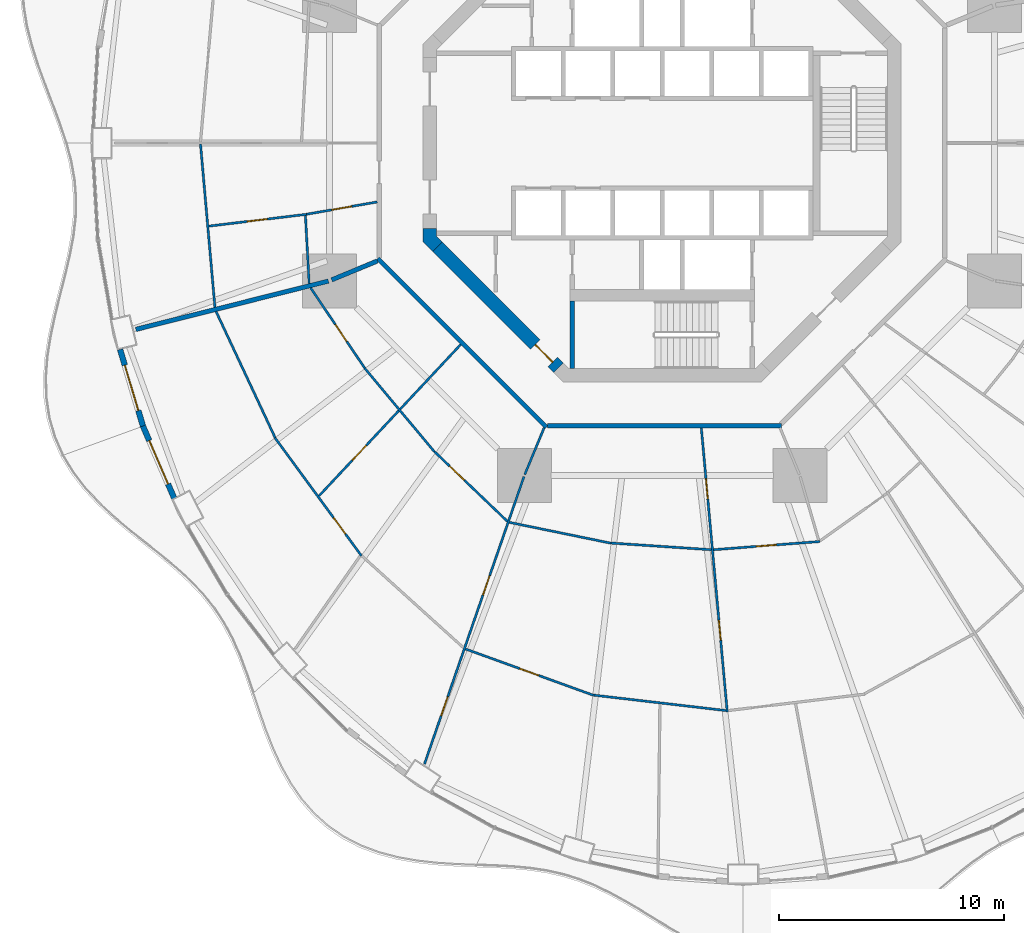
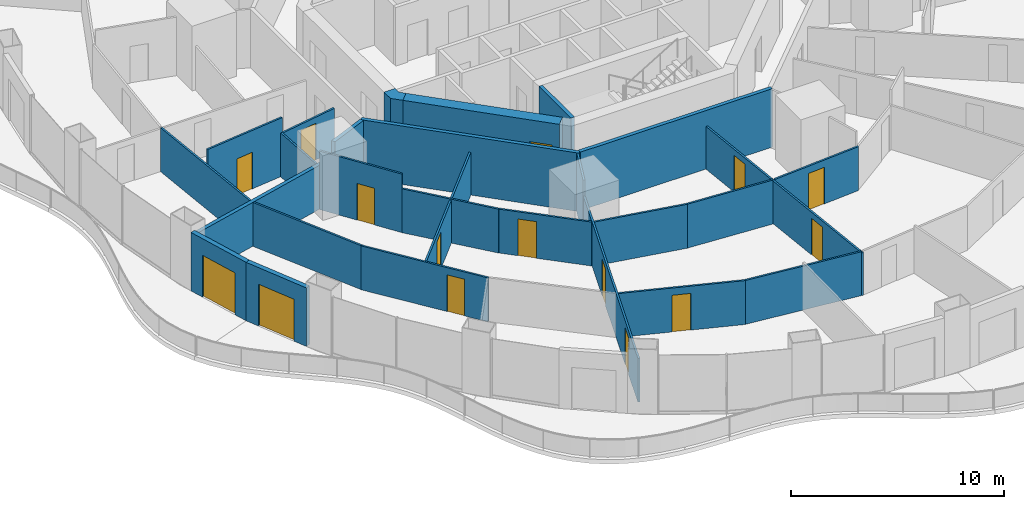
# One storey, part 14 of 22: 27 walls, 15 doors, 15 openings.
"""IFC4 building model written with IfcOpenShell, lengths in metres."""

from ifc_helpers import new_model, si_unit, direction, frame, frame_2d, origin, place, context, subcontext, project, spatial, polyline, rectangle, outline, extrude, material, layer, layer_set, type_object, element, fill, save


model = new_model("IFC4")

# Units and contexts
model_context = context("Model", 3, precision=1e-05, world=origin(), true_north=direction((0.0, 1.0)))
body_context = subcontext(model_context, "Body", "Model", "MODEL_VIEW")
ifc_project = project(units=[si_unit("LENGTHUNIT", "METRE"), si_unit("AREAUNIT", "SQUARE_METRE"), si_unit("VOLUMEUNIT", "CUBIC_METRE"), si_unit("PLANEANGLEUNIT", "RADIAN"), si_unit("MASSUNIT", "GRAM", prefix="KILO")], contexts=[model_context])

# Site, building, storey
site_placement = place(None, origin())
site = spatial("IfcSite", under=ifc_project, at=site_placement, CompositionType="ELEMENT")
building_placement = place(site_placement, origin())
building = spatial("IfcBuilding", under=site, at=building_placement, Name="Nagisa Residences", CompositionType="ELEMENT")
storey_placement = place(building_placement, frame((0.0, 0.0, 64.0)))
storey = spatial("IfcBuildingStorey", under=building, at=storey_placement, Name="L15", CompositionType="ELEMENT", Elevation=64.0)

# Walls
ifc_material_1 = material(Name="Gypsum board on steel studs", Category="steel")
ifc_layer_1 = layer(ifc_material_1, 0.199951171875)
ifc_layer_set_1 = layer_set([ifc_layer_1], Name="Apartment compartment wall EI60 200")
wall_type_1 = type_object("IfcWallType", Name="Apartment compartment wall EI60 200", PredefinedType="PARTITIONING", material=ifc_layer_set_1)
wall_1_placement = place(storey_placement, frame((-12.6572265625, -5.24267578125, 0.0), z_axis=(0.0, 0.0, 1.0), x_axis=(-0.923885664896, -0.382668627144, 0.0)))
element("IfcWall", 1, at=wall_1_placement, inside=storey, type_object=wall_type_1, Name="wall:L15:u04", PredefinedType="PARTITIONING", context=body_context, shape_type="SweptSolid", body=[
    extrude(rectangle(XDim=2.200439453125, YDim=0.199951171875, at=frame_2d((1.10009765625, 0.0))), origin(), (0.0, 0.0, 1.0), 3.35009765625),
])
wall_2_placement = place(storey_placement, frame((-14.83056640625, -6.135009765625, 0.0), z_axis=(0.0, 0.0, 1.0), x_axis=(-0.969884949569, -0.243563512454, 0.0)))
element("IfcWall", 2, at=wall_2_placement, inside=storey, type_object=wall_type_1, Name="wall:L15:u05", PredefinedType="PARTITIONING", context=body_context, shape_type="SweptSolid", body=[
    extrude(rectangle(XDim=8.828857421875, YDim=0.199951171875, at=frame_2d((4.41455078125, 0.0))), origin(), (0.0, 0.0, 1.0), 2.514892578125),
])
ifc_material_2 = material(Name="Gypsum board on steel studs", Category="steel")
ifc_layer_2 = layer(ifc_material_2, 0.199951171875)
ifc_layer_set_2 = layer_set([ifc_layer_2], Name="Apartment entry wall EI60 200")
wall_type_2 = type_object("IfcWallType", Name="Apartment entry wall EI60 200", PredefinedType="PARTITIONING", material=ifc_layer_set_2)
wall_3_placement = place(storey_placement, frame((-12.635498046875, -5.1337890625, 0.0), z_axis=(0.0, 0.0, 1.0), x_axis=(0.707106781187, -0.707106781187, 0.0)))
element("IfcWall", 3, at=wall_3_placement, inside=storey, type_object=wall_type_2, Name="wall:L15:u11", PredefinedType="PARTITIONING", context=body_context, shape_type="SweptSolid", body=[
    extrude(rectangle(XDim=10.609130859375, YDim=0.199951171875, at=frame_2d((5.3046875, 0.0))), origin(), (0.0, 0.0, 1.0), 3.35009765625),
])
wall_4_placement = place(storey_placement, frame((-5.1044921875, -12.564697265625, 0.0), z_axis=(0.0, 0.0, 1.0), x_axis=(1.0, 0.0, 0.0)))
element("IfcWall", 4, at=wall_4_placement, inside=storey, type_object=wall_type_2, Name="wall:L15:u12", PredefinedType="PARTITIONING", context=body_context, shape_type="SweptSolid", body=[
    extrude(rectangle(XDim=10.408935546875, YDim=0.199951171875, at=frame_2d((5.20458984375, 0.0))), origin(), (0.0, 0.0, 1.0), 3.35009765625),
])
ifc_material_3 = material(Name="Gypsum board on steel studs", Category="steel")
ifc_layer_3 = layer(ifc_material_3, 0.10009765625)
ifc_layer_set_3 = layer_set([ifc_layer_3], Name="Apartment partition 100")
wall_type_3 = type_object("IfcWallType", Name="Apartment partition 100", PredefinedType="PARTITIONING", material=ifc_layer_set_3)
wall_5_placement = place(storey_placement, frame((-20.518310546875, -0.0498046875, 0.0), z_axis=(0.0, 0.0, 1.0), x_axis=(0.088143415068, -0.996107794558, 0.0)))
element("IfcWall", 5, at=wall_5_placement, inside=storey, type_object=wall_type_3, Name="wall:L15:u55", PredefinedType="PARTITIONING", context=body_context, shape_type="SweptSolid", body=[
    extrude(rectangle(XDim=7.279052734375, YDim=0.10009765625, at=frame_2d((3.6396484375, 0.0))), origin(), (0.0, 0.0, 1.0), 2.514892578125),
])

# Wall, opening, door
wall_6_placement = place(storey_placement, frame((-12.663330078125, -2.619384765625, 0.0), z_axis=(0.0, 0.0, 1.0), x_axis=(-0.985220176102, -0.171292745325, 0.0)))
wall_6 = element("IfcWall", 6, at=wall_6_placement, inside=storey, type_object=wall_type_3, Name="wall:L15:u56", PredefinedType="PARTITIONING", context=body_context, shape_type="SweptSolid", body=[
    extrude(rectangle(XDim=3.191162109375, YDim=0.10009765625, at=frame_2d((1.595703125, 0.0))), origin(), (0.0, 0.0, 1.0), 2.447021484375),
])
opening_1_placement = place(wall_6_placement, frame((1.1455078125, 0.0, 0.0)))
opening_1 = element("IfcOpeningElement", 7, at=opening_1_placement, cuts=wall_6, Name="Opening L15-U44", PredefinedType="OPENING", context=body_context, shape_type="SweptSolid", body=[
    extrude(rectangle(XDim=0.89990234375, YDim=2.10009765625, at=frame_2d((0.449951171875, 1.050048828125))), frame((0.0, 0.06005859375, 0.0), z_axis=(0.0, -1.0, 0.0), x_axis=(1.0, 0.0, 0.0)), (0.0, 0.0, 1.0), 0.1201171875),
])
ifc_material_4 = material(Name="Timber door set", Category="wood")
door_type_1 = type_object("IfcDoorType", Name="Apartment door 900x2100", OperationType="NOTDEFINED", PredefinedType="DOOR", material=ifc_material_4)
door_1_placement = place(opening_1_placement, origin())
door_1 = element("IfcDoor", 8, at=door_1_placement, inside=storey, type_object=door_type_1, Name="Door to family bathroom, Apartment 15C", OperationType="SINGLE_SWING_RIGHT", OverallHeight=2.10009765625, OverallWidth=0.89990234375, PredefinedType="DOOR", context=body_context, shape_type="SweptSolid", body=[
    extrude(rectangle(XDim=0.89990234375, YDim=2.10009765625, at=frame_2d((0.449951171875, 1.050048828125))), frame((0.0, 0.02490234375, 0.0), z_axis=(0.0, -1.0, 0.0), x_axis=(1.0, 0.0, 0.0)), (0.0, 0.0, 1.0), 0.050048828125),
])
fill(opening_1, door_1)

wall_7_placement = place(storey_placement, frame((-15.806884765625, -3.16845703125, 0.0), z_axis=(0.0, 0.0, 1.0), x_axis=(-0.992741666002, -0.120266306938, 0.0)))
wall_7 = element("IfcWall", 9, at=wall_7_placement, inside=storey, type_object=wall_type_3, Name="wall:L15:u57", PredefinedType="PARTITIONING", context=body_context, shape_type="SweptSolid", body=[
    extrude(rectangle(XDim=4.37060546875, YDim=0.10009765625, at=frame_2d((2.185302734375, 0.0))), origin(), (0.0, 0.0, 1.0), 3.35009765625),
])
opening_2_placement = place(wall_7_placement, frame((1.76025390625, 0.0, 0.0)))
opening_2 = element("IfcOpeningElement", 10, at=opening_2_placement, cuts=wall_7, Name="Opening L15-U46", PredefinedType="OPENING", context=body_context, shape_type="SweptSolid", body=[
    extrude(rectangle(XDim=0.89990234375, YDim=2.10009765625, at=frame_2d((0.449951171875, 1.050048828125))), frame((0.0, 0.06005859375, 0.0), z_axis=(0.0, -1.0, 0.0), x_axis=(1.0, 0.0, 0.0)), (0.0, 0.0, 1.0), 0.1201171875),
])
door_2_placement = place(opening_2_placement, origin())
door_2 = element("IfcDoor", 11, at=door_2_placement, inside=storey, type_object=door_type_1, Name="Door to family bathroom, Apartment 15C", OperationType="SINGLE_SWING_RIGHT", OverallHeight=2.10009765625, OverallWidth=0.89990234375, PredefinedType="DOOR", context=body_context, shape_type="SweptSolid", body=[
    extrude(rectangle(XDim=0.89990234375, YDim=2.10009765625, at=frame_2d((0.449951171875, 1.050048828125))), frame((0.0, 0.02490234375, 0.0), z_axis=(0.0, -1.0, 0.0), x_axis=(1.0, 0.0, 0.0)), (0.0, 0.0, 1.0), 0.050048828125),
])
fill(opening_2, door_2)

# Wall
wall_8_placement = place(storey_placement, frame((-15.853759765625, -3.224609375, 0.0), z_axis=(0.0, 0.0, 1.0), x_axis=(0.054644199943, -0.998505889523, 0.0)))
element("IfcWall", 12, at=wall_8_placement, inside=storey, type_object=wall_type_3, Name="wall:L15:u58", PredefinedType="PARTITIONING", context=body_context, shape_type="SweptSolid", body=[
    extrude(rectangle(XDim=3.029296875, YDim=0.10009765625, at=frame_2d((1.5146484375, 0.0))), origin(), (0.0, 0.0, 1.0), 2.514892578125),
])

# Wall, opening, door
wall_9_placement = place(storey_placement, frame((-15.626953125, -6.43212890625, 0.0), z_axis=(0.0, 0.0, 1.0), x_axis=(0.559112679527, -0.829091678641, 0.0)))
wall_9 = element("IfcWall", 13, at=wall_9_placement, inside=storey, type_object=wall_type_3, Name="wall:L15:u59", PredefinedType="PARTITIONING", context=body_context, shape_type="SweptSolid", body=[
    extrude(rectangle(XDim=4.30810546875, YDim=0.10009765625, at=frame_2d((2.154052734375, 0.0))), origin(), (0.0, 0.0, 1.0), 3.35009765625),
])
opening_3_placement = place(wall_9_placement, frame((1.974853515625, 0.0, 0.0)))
opening_3 = element("IfcOpeningElement", 14, at=opening_3_placement, cuts=wall_9, Name="Opening L15-U26", PredefinedType="OPENING", context=body_context, shape_type="SweptSolid", body=[
    extrude(rectangle(XDim=0.89990234375, YDim=2.10009765625, at=frame_2d((0.449951171875, 1.050048828125))), frame((0.0, 0.06005859375, 0.0), z_axis=(0.0, -1.0, 0.0), x_axis=(1.0, 0.0, 0.0)), (0.0, 0.0, 1.0), 0.1201171875),
])
door_3_placement = place(opening_3_placement, origin())
door_3 = element("IfcDoor", 15, at=door_3_placement, inside=storey, type_object=door_type_1, Name="Door to laundry, Apartment 15A", OperationType="SINGLE_SWING_RIGHT", OverallHeight=2.10009765625, OverallWidth=0.89990234375, PredefinedType="DOOR", context=body_context, shape_type="SweptSolid", body=[
    extrude(rectangle(XDim=0.89990234375, YDim=2.10009765625, at=frame_2d((0.449951171875, 1.050048828125))), frame((0.0, 0.02490234375, 0.0), z_axis=(0.0, -1.0, 0.0), x_axis=(1.0, 0.0, 0.0)), (0.0, 0.0, 1.0), 0.050048828125),
])
fill(opening_3, door_3)

# Walls
wall_10_placement = place(storey_placement, frame((-19.82568359375, -7.49072265625, 0.0), z_axis=(0.0, 0.0, 1.0), x_axis=(0.423926333401, -0.905696673202, 0.0)))
element("IfcWall", 16, at=wall_10_placement, inside=storey, type_object=wall_type_3, Name="wall:L15:u60", PredefinedType="PARTITIONING", context=body_context, shape_type="SweptSolid", body=[
    extrude(rectangle(XDim=6.1875, YDim=0.10009765625, at=frame_2d((3.09375, 0.0))), origin(), (0.0, 0.0, 1.0), 2.514892578125),
])
wall_11_placement = place(storey_placement, frame((-13.222412109375, -10.0068359375, 0.0), z_axis=(0.0, 0.0, 1.0), x_axis=(0.64083455704, -0.767679015282, 0.0)))
element("IfcWall", 17, at=wall_11_placement, inside=storey, type_object=wall_type_3, Name="wall:L15:u61", PredefinedType="PARTITIONING", context=body_context, shape_type="SweptSolid", body=[
    extrude(rectangle(XDim=4.8369140625, YDim=0.10009765625, at=frame_2d((2.41845703125, 0.0))), origin(), (0.0, 0.0, 1.0), 2.514892578125),
])

# Wall, opening, door
wall_12_placement = place(storey_placement, frame((-17.2109375, -13.099609375, 0.0), z_axis=(0.0, 0.0, 1.0), x_axis=(0.591191311491, -0.806531359104, 0.0)))
wall_12 = element("IfcWall", 18, at=wall_12_placement, inside=storey, type_object=wall_type_3, Name="wall:L15:u62", PredefinedType="PARTITIONING", context=body_context, shape_type="SweptSolid", body=[
    extrude(rectangle(XDim=6.510009765625, YDim=0.10009765625, at=frame_2d((3.2548828125, 0.0))), origin(), (0.0, 0.0, 1.0), 2.514892578125),
])
opening_4_placement = place(wall_12_placement, frame((4.407470703125, 0.0, 0.0)))
opening_4 = element("IfcOpeningElement", 19, at=opening_4_placement, cuts=wall_12, Name="Opening L15-U22", PredefinedType="OPENING", context=body_context, shape_type="SweptSolid", body=[
    extrude(rectangle(XDim=0.89990234375, YDim=2.10009765625, at=frame_2d((0.449951171875, 1.050048828125))), frame((0.0, 0.06005859375, 0.0), z_axis=(0.0, -1.0, 0.0), x_axis=(1.0, 0.0, 0.0)), (0.0, 0.0, 1.0), 0.1201171875),
])
door_4_placement = place(opening_4_placement, frame((0.89990234375, 0.0, 0.0), x_axis=(-1.0, 0.0, 0.0)))
door_4 = element("IfcDoor", 20, at=door_4_placement, inside=storey, type_object=door_type_1, Name="Door to family room, Apartment 15A", OperationType="SINGLE_SWING_LEFT", OverallHeight=2.10009765625, OverallWidth=0.89990234375, PredefinedType="DOOR", context=body_context, shape_type="SweptSolid", body=[
    extrude(rectangle(XDim=0.89990234375, YDim=2.10009765625, at=frame_2d((0.449951171875, 1.050048828125))), frame((0.0, 0.02490234375, 0.0), z_axis=(0.0, -1.0, 0.0), x_axis=(1.0, 0.0, 0.0)), (0.0, 0.0, 1.0), 0.050048828125),
])
fill(opening_4, door_4)

wall_13_placement = place(storey_placement, frame((-8.952880859375, -8.95751953125, 0.0), z_axis=(0.0, 0.0, 1.0), x_axis=(-0.683322485948, -0.730116689439, 0.0)))
wall_13 = element("IfcWall", 21, at=wall_13_placement, inside=storey, type_object=wall_type_3, Name="wall:L15:u63", PredefinedType="PARTITIONING", context=body_context, shape_type="SweptSolid", body=[
    extrude(rectangle(XDim=9.218994140625, YDim=0.10009765625, at=frame_2d((4.609375, 0.0))), origin(), (0.0, 0.0, 1.0), 2.447021484375),
])
opening_5_placement = place(wall_13_placement, frame((6.1494140625, 0.0, 0.0)))
opening_5 = element("IfcOpeningElement", 22, at=opening_5_placement, cuts=wall_13, Name="Opening L15-U25", PredefinedType="OPENING", context=body_context, shape_type="SweptSolid", body=[
    extrude(rectangle(XDim=0.89990234375, YDim=2.10009765625, at=frame_2d((0.449951171875, 1.050048828125))), frame((0.0, 0.06005859375, 0.0), z_axis=(0.0, -1.0, 0.0), x_axis=(1.0, 0.0, 0.0)), (0.0, 0.0, 1.0), 0.1201171875),
])
door_5_placement = place(opening_5_placement, frame((0.89990234375, 0.0, 0.0), x_axis=(-1.0, 0.0, 0.0)))
door_5 = element("IfcDoor", 23, at=door_5_placement, inside=storey, type_object=door_type_1, Name="Door to kitchen, Apartment 15A", OperationType="SINGLE_SWING_RIGHT", OverallHeight=2.10009765625, OverallWidth=0.89990234375, PredefinedType="DOOR", context=body_context, shape_type="SweptSolid", body=[
    extrude(rectangle(XDim=0.89990234375, YDim=2.10009765625, at=frame_2d((0.449951171875, 1.050048828125))), frame((0.0, 0.02490234375, 0.0), z_axis=(0.0, -1.0, 0.0), x_axis=(1.0, 0.0, 0.0)), (0.0, 0.0, 1.0), 0.050048828125),
])
fill(opening_5, door_5)

wall_14_placement = place(storey_placement, frame((-10.118896484375, -13.716064453125, 0.0), z_axis=(0.0, 0.0, 1.0), x_axis=(0.722762371977, -0.691096631199, 0.0)))
wall_14 = element("IfcWall", 24, at=wall_14_placement, inside=storey, type_object=wall_type_3, Name="wall:L15:u64", PredefinedType="PARTITIONING", context=body_context, shape_type="SweptSolid", body=[
    extrude(rectangle(XDim=4.487060546875, YDim=0.10009765625, at=frame_2d((2.24365234375, 0.0))), origin(), (0.0, 0.0, 1.0), 2.514892578125),
])
opening_6_placement = place(wall_14_placement, frame((0.927490234375, 0.0, 0.0)))
opening_6 = element("IfcOpeningElement", 25, at=opening_6_placement, cuts=wall_14, Name="Opening L15-U24", PredefinedType="OPENING", context=body_context, shape_type="SweptSolid", body=[
    extrude(rectangle(XDim=0.89990234375, YDim=2.10009765625, at=frame_2d((0.449951171875, 1.050048828125))), frame((0.0, 0.06005859375, 0.0), z_axis=(0.0, -1.0, 0.0), x_axis=(1.0, 0.0, 0.0)), (0.0, 0.0, 1.0), 0.1201171875),
])
door_6_placement = place(opening_6_placement, origin())
door_6 = element("IfcDoor", 26, at=door_6_placement, inside=storey, type_object=door_type_1, Name="Door to store, Apartment 15A", OperationType="SINGLE_SWING_RIGHT", OverallHeight=2.10009765625, OverallWidth=0.89990234375, PredefinedType="DOOR", context=body_context, shape_type="SweptSolid", body=[
    extrude(rectangle(XDim=0.89990234375, YDim=2.10009765625, at=frame_2d((0.449951171875, 1.050048828125))), frame((0.0, 0.02490234375, 0.0), z_axis=(0.0, -1.0, 0.0), x_axis=(1.0, 0.0, 0.0)), (0.0, 0.0, 1.0), 0.050048828125),
])
fill(opening_6, door_6)

# Wall
wall_15_placement = place(storey_placement, frame((-5.24267578125, -12.6572265625, 0.0), z_axis=(0.0, 0.0, 1.0), x_axis=(-0.382719158442, -0.923864733477, 0.0)))
element("IfcWall", 27, at=wall_15_placement, inside=storey, type_object=wall_type_3, Name="wall:L15:u67", PredefinedType="PARTITIONING", context=body_context, shape_type="SweptSolid", body=[
    extrude(rectangle(XDim=2.25, YDim=0.10009765625, at=frame_2d((1.125, 0.0))), origin(), (0.0, 0.0, 1.0), 3.35009765625),
])

# Wall, openings, doors
wall_16_placement = place(storey_placement, frame((-6.139404296875, -14.829345703125, 0.0), z_axis=(0.0, 0.0, 1.0), x_axis=(-0.327178799566, -0.944962450637, 0.0)))
wall_16 = element("IfcWall", 28, at=wall_16_placement, inside=storey, type_object=wall_type_3, Name="wall:L15:u68", PredefinedType="PARTITIONING", context=body_context, shape_type="SweptSolid", body=[
    extrude(rectangle(XDim=13.517333984375, YDim=0.10009765625, at=frame_2d((6.7587890625, 0.0))), origin(), (0.0, 0.0, 1.0), 2.514892578125),
])
opening_7_placement = place(wall_16_placement, frame((4.665283203125, 0.0, 0.0)))
opening_7 = element("IfcOpeningElement", 29, at=opening_7_placement, cuts=wall_16, Name="Opening L15-U21", PredefinedType="OPENING", context=body_context, shape_type="SweptSolid", body=[
    extrude(rectangle(XDim=0.89990234375, YDim=2.10009765625, at=frame_2d((0.449951171875, 1.050048828125))), frame((0.0, 0.06005859375, 0.0), z_axis=(0.0, -1.0, 0.0), x_axis=(1.0, 0.0, 0.0)), (0.0, 0.0, 1.0), 0.1201171875),
])
opening_8_placement = place(wall_16_placement, frame((10.35400390625, 0.0, 0.0)))
opening_8 = element("IfcOpeningElement", 30, at=opening_8_placement, cuts=wall_16, Name="Opening L15-U23", PredefinedType="OPENING", context=body_context, shape_type="SweptSolid", body=[
    extrude(rectangle(XDim=0.89990234375, YDim=2.10009765625, at=frame_2d((0.449951171875, 1.050048828125))), frame((0.0, 0.06005859375, 0.0), z_axis=(0.0, -1.0, 0.0), x_axis=(1.0, 0.0, 0.0)), (0.0, 0.0, 1.0), 0.1201171875),
])
door_7_placement = place(opening_7_placement, frame((0.89990234375, 0.0, 0.0), x_axis=(-1.0, 0.0, 0.0)))
door_7 = element("IfcDoor", 31, at=door_7_placement, inside=storey, type_object=door_type_1, Name="Door to dining room, Apartment 15A", OperationType="SINGLE_SWING_RIGHT", OverallHeight=2.10009765625, OverallWidth=0.89990234375, PredefinedType="DOOR", context=body_context, shape_type="SweptSolid", body=[
    extrude(rectangle(XDim=0.89990234375, YDim=2.10009765625, at=frame_2d((0.449951171875, 1.050048828125))), frame((0.0, 0.02490234375, 0.0), z_axis=(0.0, -1.0, 0.0), x_axis=(1.0, 0.0, 0.0)), (0.0, 0.0, 1.0), 0.050048828125),
])
fill(opening_7, door_7)
door_8_placement = place(opening_8_placement, frame((0.89990234375, 0.0, 0.0), x_axis=(-1.0, 0.0, 0.0)))
door_8 = element("IfcDoor", 32, at=door_8_placement, inside=storey, type_object=door_type_1, Name="Door to master bedroom, Apartment 15A", OperationType="SINGLE_SWING_RIGHT", OverallHeight=2.10009765625, OverallWidth=0.89990234375, PredefinedType="DOOR", context=body_context, shape_type="SweptSolid", body=[
    extrude(rectangle(XDim=0.89990234375, YDim=2.10009765625, at=frame_2d((0.449951171875, 1.050048828125))), frame((0.0, 0.02490234375, 0.0), z_axis=(0.0, -1.0, 0.0), x_axis=(1.0, 0.0, 0.0)), (0.0, 0.0, 1.0), 0.050048828125),
])
fill(opening_8, door_8)

# Wall
wall_17_placement = place(storey_placement, frame((-6.79052734375, -16.861572265625, 0.0), z_axis=(0.0, 0.0, 1.0), x_axis=(0.979587203416, -0.2010196779, 0.0)))
element("IfcWall", 33, at=wall_17_placement, inside=storey, type_object=wall_type_3, Name="wall:L15:u69", PredefinedType="PARTITIONING", context=body_context, shape_type="SweptSolid", body=[
    extrude(rectangle(XDim=4.61279296875, YDim=0.10009765625, at=frame_2d((2.306396484375, 0.0))), origin(), (0.0, 0.0, 1.0), 2.514892578125),
])

# Wall, opening, door
wall_18_placement = place(storey_placement, frame((-8.7392578125, -22.4912109375, 0.0), z_axis=(0.0, 0.0, 1.0), x_axis=(0.940401691072, -0.340065669288, 0.0)))
wall_18 = element("IfcWall", 34, at=wall_18_placement, inside=storey, type_object=wall_type_3, Name="wall:L15:u70", PredefinedType="PARTITIONING", context=body_context, shape_type="SweptSolid", body=[
    extrude(rectangle(XDim=6.067138671875, YDim=0.10009765625, at=frame_2d((3.03369140625, 0.0))), origin(), (0.0, 0.0, 1.0), 2.514892578125),
])
opening_9_placement = place(wall_18_placement, frame((2.55859375, 0.0, 0.0)))
opening_9 = element("IfcOpeningElement", 35, at=opening_9_placement, cuts=wall_18, Name="Opening L15-U19", PredefinedType="OPENING", context=body_context, shape_type="SweptSolid", body=[
    extrude(rectangle(XDim=0.89990234375, YDim=2.10009765625, at=frame_2d((0.449951171875, 1.050048828125))), frame((0.0, 0.06005859375, 0.0), z_axis=(0.0, -1.0, 0.0), x_axis=(1.0, 0.0, 0.0)), (0.0, 0.0, 1.0), 0.1201171875),
])
door_9_placement = place(opening_9_placement, frame((0.89990234375, 0.0, 0.0), x_axis=(-1.0, 0.0, 0.0)))
door_9 = element("IfcDoor", 36, at=door_9_placement, inside=storey, type_object=door_type_1, Name="Door to family room, Apartment 15A", OperationType="SINGLE_SWING_RIGHT", OverallHeight=2.10009765625, OverallWidth=0.89990234375, PredefinedType="DOOR", context=body_context, shape_type="SweptSolid", body=[
    extrude(rectangle(XDim=0.89990234375, YDim=2.10009765625, at=frame_2d((0.449951171875, 1.050048828125))), frame((0.0, 0.02490234375, 0.0), z_axis=(0.0, -1.0, 0.0), x_axis=(1.0, 0.0, 0.0)), (0.0, 0.0, 1.0), 0.050048828125),
])
fill(opening_9, door_9)

# Walls
wall_19_placement = place(storey_placement, frame((-2.27099609375, -17.781982421875, 0.0), z_axis=(0.0, 0.0, 1.0), x_axis=(0.997791437766, -0.066424744789, 0.0)))
element("IfcWall", 37, at=wall_19_placement, inside=storey, type_object=wall_type_3, Name="wall:L15:u71", PredefinedType="PARTITIONING", context=body_context, shape_type="SweptSolid", body=[
    extrude(rectangle(XDim=4.46923828125, YDim=0.10009765625, at=frame_2d((2.234619140625, 0.0))), origin(), (0.0, 0.0, 1.0), 2.514892578125),
])
wall_20_placement = place(storey_placement, frame((-3.03125, -24.543212890625, 0.0), z_axis=(0.0, 0.0, 1.0), x_axis=(0.993255612046, -0.115945198862, 0.0)))
element("IfcWall", 38, at=wall_20_placement, inside=storey, type_object=wall_type_3, Name="wall:L15:u72", PredefinedType="PARTITIONING", context=body_context, shape_type="SweptSolid", body=[
    extrude(rectangle(XDim=5.91259765625, YDim=0.10009765625, at=frame_2d((2.956298828125, 0.0))), origin(), (0.0, 0.0, 1.0), 2.514892578125),
])

# Wall, openings, doors
wall_21_placement = place(storey_placement, frame((1.743896484375, -12.664306640625, 0.0), z_axis=(0.0, 0.0, 1.0), x_axis=(0.090893569001, -0.995860612292, 0.0)))
wall_21 = element("IfcWall", 39, at=wall_21_placement, inside=storey, type_object=wall_type_3, Name="wall:L15:u74", PredefinedType="PARTITIONING", context=body_context, shape_type="SweptSolid", body=[
    extrude(rectangle(XDim=12.672607421875, YDim=0.10009765625, at=frame_2d((6.33642578125, 0.0))), origin(), (0.0, 0.0, 1.0), 2.447021484375),
])
opening_10_placement = place(wall_21_placement, frame((8.58154296875, 0.0, 0.0)))
opening_10 = element("IfcOpeningElement", 40, at=opening_10_placement, cuts=wall_21, Name="Opening L15-U18", PredefinedType="OPENING", context=body_context, shape_type="SweptSolid", body=[
    extrude(rectangle(XDim=0.89990234375, YDim=2.10009765625, at=frame_2d((0.449951171875, 1.050048828125))), frame((0.0, 0.06005859375, 0.0), z_axis=(0.0, -1.0, 0.0), x_axis=(1.0, 0.0, 0.0)), (0.0, 0.0, 1.0), 0.1201171875),
])
opening_11_placement = place(wall_21_placement, frame((2.270263671875, 0.0, 0.0)))
opening_11 = element("IfcOpeningElement", 41, at=opening_11_placement, cuts=wall_21, Name="Opening L15-U20", PredefinedType="OPENING", context=body_context, shape_type="SweptSolid", body=[
    extrude(rectangle(XDim=0.89990234375, YDim=2.10009765625, at=frame_2d((0.449951171875, 1.050048828125))), frame((0.0, 0.06005859375, 0.0), z_axis=(0.0, -1.0, 0.0), x_axis=(1.0, 0.0, 0.0)), (0.0, 0.0, 1.0), 0.1201171875),
])
door_10_placement = place(opening_10_placement, frame((0.89990234375, 0.0, 0.0), x_axis=(-1.0, 0.0, 0.0)))
door_10 = element("IfcDoor", 42, at=door_10_placement, inside=storey, type_object=door_type_1, Name="Door to family room, Apartment 15A", OperationType="SINGLE_SWING_LEFT", OverallHeight=2.10009765625, OverallWidth=0.89990234375, PredefinedType="DOOR", context=body_context, shape_type="SweptSolid", body=[
    extrude(rectangle(XDim=0.89990234375, YDim=2.10009765625, at=frame_2d((0.449951171875, 1.050048828125))), frame((0.0, 0.02490234375, 0.0), z_axis=(0.0, -1.0, 0.0), x_axis=(1.0, 0.0, 0.0)), (0.0, 0.0, 1.0), 0.050048828125),
])
fill(opening_10, door_10)
door_11_placement = place(opening_11_placement, frame((0.89990234375, 0.0, 0.0), x_axis=(-1.0, 0.0, 0.0)))
door_11 = element("IfcDoor", 43, at=door_11_placement, inside=storey, type_object=door_type_1, Name="Door to store, Apartment 15A", OperationType="SINGLE_SWING_LEFT", OverallHeight=2.10009765625, OverallWidth=0.89990234375, PredefinedType="DOOR", context=body_context, shape_type="SweptSolid", body=[
    extrude(rectangle(XDim=0.89990234375, YDim=2.10009765625, at=frame_2d((0.449951171875, 1.050048828125))), frame((0.0, 0.02490234375, 0.0), z_axis=(0.0, -1.0, 0.0), x_axis=(1.0, 0.0, 0.0)), (0.0, 0.0, 1.0), 0.050048828125),
])
fill(opening_11, door_11)

# Wall, opening, door
wall_22_placement = place(storey_placement, frame((2.288330078125, -18.078369140625, 0.0), z_axis=(0.0, 0.0, 1.0), x_axis=(0.997016297228, 0.077191340583, 0.0)))
wall_22 = element("IfcWall", 44, at=wall_22_placement, inside=storey, type_object=wall_type_3, Name="wall:L15:u75", PredefinedType="PARTITIONING", context=body_context, shape_type="SweptSolid", body=[
    extrude(rectangle(XDim=4.753662109375, YDim=0.10009765625, at=frame_2d((2.376953125, 0.0))), origin(), (0.0, 0.0, 1.0), 2.514892578125),
])
opening_12_placement = place(wall_22_placement, frame((1.90185546875, 0.0, 0.0)))
opening_12 = element("IfcOpeningElement", 45, at=opening_12_placement, cuts=wall_22, Name="Opening L15-U17", PredefinedType="OPENING", context=body_context, shape_type="SweptSolid", body=[
    extrude(rectangle(XDim=0.89990234375, YDim=2.10009765625, at=frame_2d((0.449951171875, 1.050048828125))), frame((0.0, 0.06005859375, 0.0), z_axis=(0.0, -1.0, 0.0), x_axis=(1.0, 0.0, 0.0)), (0.0, 0.0, 1.0), 0.1201171875),
])
door_12_placement = place(opening_12_placement, origin())
door_12 = element("IfcDoor", 46, at=door_12_placement, inside=storey, type_object=door_type_1, Name="Door to laundry, Apartment 15A", OperationType="SINGLE_SWING_LEFT", OverallHeight=2.10009765625, OverallWidth=0.89990234375, PredefinedType="DOOR", context=body_context, shape_type="SweptSolid", body=[
    extrude(rectangle(XDim=0.89990234375, YDim=2.10009765625, at=frame_2d((0.449951171875, 1.050048828125))), frame((0.0, 0.02490234375, 0.0), z_axis=(0.0, -1.0, 0.0), x_axis=(1.0, 0.0, 0.0)), (0.0, 0.0, 1.0), 0.050048828125),
])
fill(opening_12, door_12)

ifc_material_5 = material(Name="Precast concrete C40/50", Category="concrete")
ifc_layer_4 = layer(ifc_material_5, 0.25)
ifc_layer_set_4 = layer_set([ifc_layer_4], Name="BALCONY DOOR WALL 250")
wall_type_4 = type_object("IfcWallType", Name="BALCONY DOOR WALL 250", PredefinedType="SOLIDWALL", material=ifc_layer_set_4)
wall_23_placement = place(storey_placement, frame((-23.07275390625, -12.5927734375, 0.0), z_axis=(0.0, 0.0, 1.0), x_axis=(-0.285871309426, 0.958268018065, 0.0)))
wall_23 = element("IfcWall", 47, at=wall_23_placement, inside=storey, type_object=wall_type_4, Name="wall:L15:bay26", PredefinedType="SOLIDWALL", context=body_context, shape_type="SweptSolid", body=[
    extrude(rectangle(XDim=3.5654296875, YDim=0.25, at=frame_2d((1.78271484375, 0.0))), origin(), (0.0, 0.0, 1.0), 3.35009765625),
])
opening_13_placement = place(wall_23_placement, frame((0.732666015625, 0.0, 0.0)))
opening_13 = element("IfcOpeningElement", 48, at=opening_13_placement, cuts=wall_23, Name="Opening BD-L15-09", PredefinedType="OPENING", context=body_context, shape_type="SweptSolid", body=[
    extrude(rectangle(XDim=2.10009765625, YDim=2.39990234375, at=frame_2d((1.050048828125, 1.199951171875))), frame((0.0, 0.135009765625, 0.0), z_axis=(0.0, -1.0, 0.0), x_axis=(1.0, 0.0, 0.0)), (0.0, 0.0, 1.0), 0.27001953125),
])
ifc_material_6 = material(Name="Aluminium and clear glass", Category="aluminium")
door_type_2 = type_object("IfcDoorType", Name="BALCONY SLIDING DOOR 2100x2400", OperationType="SLIDING_TO_LEFT", PredefinedType="DOOR", material=ifc_material_6)
door_13_placement = place(opening_13_placement, origin())
door_13 = element("IfcDoor", 49, at=door_13_placement, inside=storey, type_object=door_type_2, Name="door:L15:bay26", OperationType="SLIDING_TO_LEFT", OverallHeight=2.39990234375, OverallWidth=2.10009765625, PredefinedType="DOOR", context=body_context, shape_type="SweptSolid", body=[
    extrude(rectangle(XDim=2.10009765625, YDim=2.39990234375, at=frame_2d((1.050048828125, 1.199951171875))), frame((0.0, 0.02490234375, 0.0), z_axis=(0.0, -1.0, 0.0), x_axis=(1.0, 0.0, 0.0)), (0.0, 0.0, 1.0), 0.050048828125),
])
fill(opening_13, door_13)

wall_24_placement = place(storey_placement, frame((-21.678466796875, -15.80810546875, 0.0), z_axis=(0.0, 0.0, 1.0), x_axis=(-0.397624958345, 0.917548032803, 0.0)))
wall_24 = element("IfcWall", 50, at=wall_24_placement, inside=storey, type_object=wall_type_4, Name="wall:L15:bay27", PredefinedType="SOLIDWALL", context=body_context, shape_type="SweptSolid", body=[
    extrude(rectangle(XDim=3.51953125, YDim=0.25, at=frame_2d((1.759765625, 0.0))), origin(), (0.0, 0.0, 1.0), 3.35009765625),
])
opening_14_placement = place(wall_24_placement, frame((0.709716796875, 0.0, 0.0)))
opening_14 = element("IfcOpeningElement", 51, at=opening_14_placement, cuts=wall_24, Name="Opening BD-L15-10", PredefinedType="OPENING", context=body_context, shape_type="SweptSolid", body=[
    extrude(rectangle(XDim=2.10009765625, YDim=2.39990234375, at=frame_2d((1.050048828125, 1.199951171875))), frame((0.0, 0.135009765625, 0.0), z_axis=(0.0, -1.0, 0.0), x_axis=(1.0, 0.0, 0.0)), (0.0, 0.0, 1.0), 0.27001953125),
])
door_14_placement = place(opening_14_placement, origin())
door_14 = element("IfcDoor", 52, at=door_14_placement, inside=storey, type_object=door_type_2, Name="door:L15:bay27", OperationType="SLIDING_TO_LEFT", OverallHeight=2.39990234375, OverallWidth=2.10009765625, PredefinedType="DOOR", context=body_context, shape_type="SweptSolid", body=[
    extrude(rectangle(XDim=2.10009765625, YDim=2.39990234375, at=frame_2d((1.050048828125, 1.199951171875))), frame((0.0, 0.02490234375, 0.0), z_axis=(0.0, -1.0, 0.0), x_axis=(1.0, 0.0, 0.0)), (0.0, 0.0, 1.0), 0.050048828125),
])
fill(opening_14, door_14)

ifc_material_7 = material(Name="Concrete C60", Category="concrete")
ifc_layer_5 = layer(ifc_material_7, 0.60009765625)
ifc_layer_set_5 = layer_set([ifc_layer_5], Name="Core shear wall 600")
wall_type_5 = type_object("IfcWallType", Name="Core shear wall 600", PredefinedType="SHEAR", material=ifc_layer_set_5)
wall_25_placement = place(storey_placement, frame((-9.98828125, -4.613037109375, 0.0), z_axis=(0.0, 0.0, 1.0), x_axis=(0.707106781187, -0.707106781187, 0.0)))
wall_25 = element("IfcWall", 53, at=wall_25_placement, inside=storey, type_object=wall_type_5, Name="wall:L15:core:flat5", PredefinedType="SHEAR", context=body_context, shape_type="SweptSolid", body=[
    extrude(rectangle(XDim=7.601806640625, YDim=0.60009765625, at=frame_2d((3.80078125, 0.0))), origin(), (0.0, 0.0, 1.0), 3.35009765625),
])
opening_15_placement = place(wall_25_placement, frame((6.15087890625, 0.0, 0.0)))
opening_15 = element("IfcOpeningElement", 54, at=opening_15_placement, cuts=wall_25, Name="Opening L15-C21", PredefinedType="OPENING", context=body_context, shape_type="SweptSolid", body=[
    extrude(rectangle(XDim=1.10009765625, YDim=2.10009765625, at=frame_2d((0.550048828125, 1.050048828125))), frame((0.0, 0.31005859375, 0.0), z_axis=(0.0, -1.0, 0.0), x_axis=(1.0, 0.0, 0.0)), (0.0, 0.0, 1.0), 0.6201171875),
])
ifc_material_8 = material(Name="Steel fire door", Category="steel")
door_type_3 = type_object("IfcDoorType", Name="Fire door EI60 1100x2100 single swing", OperationType="NOTDEFINED", PredefinedType="DOOR", material=ifc_material_8)
door_15_placement = place(opening_15_placement, origin())
door_15 = element("IfcDoor", 55, at=door_15_placement, inside=storey, type_object=door_type_3, Name="Housekeeping lobby door L15", OperationType="SINGLE_SWING_RIGHT", OverallHeight=2.10009765625, OverallWidth=1.10009765625, PredefinedType="DOOR", context=body_context, shape_type="SweptSolid", body=[
    extrude(rectangle(XDim=1.10009765625, YDim=2.10009765625, at=frame_2d((0.550048828125, 1.050048828125))), frame((0.0, 0.02490234375, 0.0), z_axis=(0.0, -1.0, 0.0), x_axis=(1.0, 0.0, 0.0)), (0.0, 0.0, 1.0), 0.050048828125),
])
fill(opening_15, door_15)

# Walls
wall_26_placement = place(storey_placement, origin())
element("IfcWall", 56, at=wall_26_placement, inside=storey, type_object=wall_type_5, Name="wall:L15:core:pier4", PredefinedType="SHEAR", context=body_context, shape_type="SweptSolid", body=[
    extrude(outline(polyline([(-10.62451171875, -3.80078125), (-10.024658203125, -3.80078125), (-10.024658203125, -4.15234375), (-9.776123046875, -4.40087890625), (-10.200439453125, -4.8251953125), (-10.62451171875, -4.40087890625), (-10.62451171875, -3.80078125)])), origin(), (0.0, 0.0, 1.0), 3.35009765625),
])
ifc_material_9 = material(Name="Concrete C60", Category="concrete")
ifc_layer_6 = layer(ifc_material_9, 0.199951171875)
ifc_layer_set_6 = layer_set([ifc_layer_6], Name="Stair enclosure wall 200")
wall_type_6 = type_object("IfcWallType", Name="Stair enclosure wall 200", PredefinedType="SOLIDWALL", material=ifc_layer_set_6)
wall_27_placement = place(storey_placement, origin())
element("IfcWall", 57, at=wall_27_placement, inside=storey, type_object=wall_type_6, Name="wall:L15:SS_w", PredefinedType="SOLIDWALL", context=body_context, shape_type="SweptSolid", body=[
    extrude(outline(polyline([(-3.89990234375, -10.024658203125), (-4.10009765625, -10.024658203125), (-4.10009765625, -7.024658203125), (-3.89990234375, -7.024658203125), (-3.89990234375, -10.024658203125)])), origin(), (0.0, 0.0, 1.0), 3.35009765625),
])

save(model, "model.ifc")
